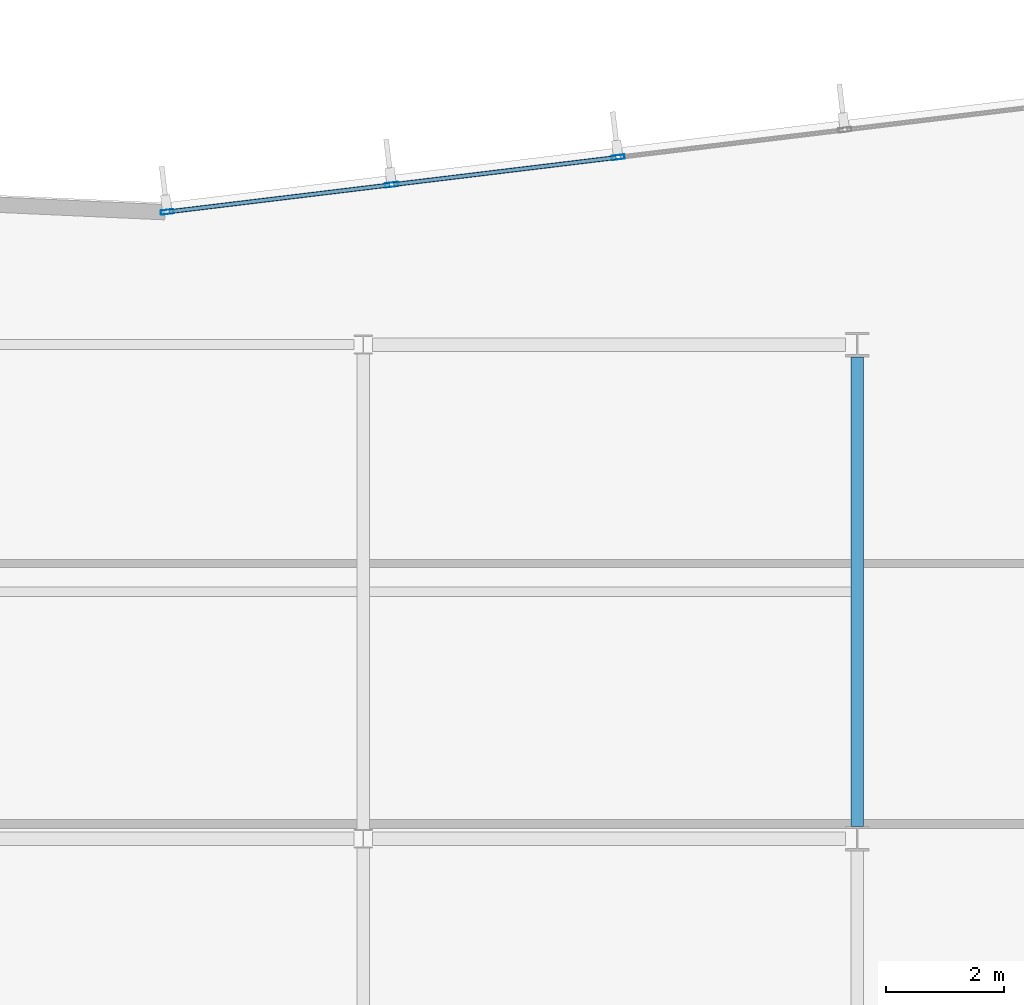
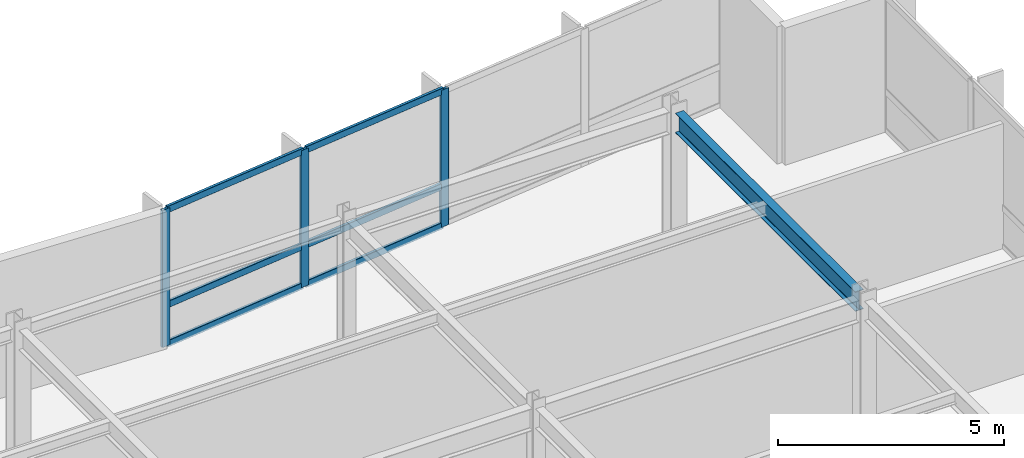
# One storey, part 7 of 17: 9 members, 1 beam, 1 element without a shape of its own.
"""IFC4 building model written with IfcOpenShell, lengths in metres."""

from ifc_helpers import new_model, si_unit, direction, frame, origin, origin_2d, place, context, subcontext, project, spatial, hollow_rectangle, i_section, extrude, material, layer, layer_set, material_profile, profile_set, type_object, element, aggregate, save


model = new_model("IFC4")

# Units and contexts
model_context = context("Model", 3, precision=1e-05, world=origin(), true_north=direction((0.0, 1.0)))
body_context = subcontext(model_context, "Body", "Model", "MODEL_VIEW")
ifc_project = project(units=[si_unit("LENGTHUNIT", "METRE"), si_unit("AREAUNIT", "SQUARE_METRE"), si_unit("VOLUMEUNIT", "CUBIC_METRE"), si_unit("PLANEANGLEUNIT", "RADIAN"), si_unit("MASSUNIT", "GRAM", prefix="KILO")], contexts=[model_context])

# Site, building, storey
site_placement = place(None, origin())
site = spatial("IfcSite", under=ifc_project, at=site_placement, CompositionType="ELEMENT")
building_placement = place(site_placement, origin())
building = spatial("IfcBuilding", under=site, at=building_placement, Name="Varnakote Quay Hospital", CompositionType="ELEMENT")
storey_placement = place(building_placement, frame((0.0, 0.0, 103.35009765625)))
storey = spatial("IfcBuildingStorey", under=building, at=storey_placement, Name="L25", CompositionType="ELEMENT", Elevation=103.35009765625)

# Beam
ifc_material_1 = material(Name="Structural steel AS/NZS 3679.1 Grade 350 L0 (fy 340 MPa)", Category="steel")
ifc_material_profile_1 = material_profile(ifc_material_1, i_section(OverallWidth=0.208984375, OverallDepth=0.532958984375, WebThickness=0.01025390625, FlangeThickness=0.015625, FilletRadius=0.013916015625, at=origin_2d()), Name="530UB92.4")
ifc_profile_set_1 = profile_set([ifc_material_profile_1], Name="Structural steel AS/NZS 3679.1 Grade 350 L0 (fy 340 MPa)")
beam_type = type_object("IfcBeamType", Name="BM-STL-530UB92-4", PredefinedType="BEAM", material=ifc_profile_set_1)
beam_placement = place(storey_placement, frame((50.39990234375, 20.610107421875, 3.443359375), z_axis=(0.0, 1.0, 0.0), x_axis=(-1.0, 0.0, 0.0)))
element("IfcBeam", 1, at=beam_placement, inside=storey, type_object=beam_type, Name="L25 Primary Tie Beam", PredefinedType="BEAM", context=body_context, shape_type="SweptSolid", body=[
    extrude(i_section(OverallWidth=0.208984375, OverallDepth=0.532958984375, WebThickness=0.01025390625, FlangeThickness=0.015625, FilletRadius=0.013916015625, at=origin_2d()), origin(), (0.0, 0.0, 1.0), 7.97998046875),
])

# Curtain wall, members
ifc_material_2 = material(Name="Anodised aluminium 6063-T6 Bronze", Category="aluminium")
ifc_layer = layer(ifc_material_2, 0.205078125)
ifc_layer_set = layer_set([ifc_layer], Name="Anodised aluminium 6063-T6 Bronze")
curtain_wall_type = type_object("IfcCurtainWallType", Name="CW-SYS-3", PredefinedType="NOTDEFINED", material=ifc_layer_set)
curtain_wall_placement = place(storey_placement, origin())
curtain_wall = element("IfcCurtainWall", 2, at=curtain_wall_placement, inside=storey, type_object=curtain_wall_type, Name="L25 Unitised Bronze Curtain Wall 2", PredefinedType="NOTDEFINED")
ifc_material_3 = material(Name="Anodised aluminium 6063-T6 Bronze", Category="aluminium")
ifc_material_profile_2 = material_profile(ifc_material_3, hollow_rectangle(XDim=0.074951171875, YDim=0.219970703125, WallThickness=0.00439453125, InnerFilletRadius=0.00439453125, OuterFilletRadius=0.009033203125, at=origin_2d()), Name="CW-MULL-220x75")
ifc_profile_set_2 = profile_set([ifc_material_profile_2], Name="Anodised aluminium 6063-T6 Bronze")
member_type_1 = type_object("IfcMemberType", Name="CW-MULL-220x75", PredefinedType="MULLION", material=ifc_profile_set_2)
member_1_placement = place(storey_placement, frame((46.3349609375, 31.985595703125, 0.0), z_axis=(0.0, 0.0, 1.0), x_axis=(0.12032713492, -0.992734295067, 0.0)))
member_1 = element("IfcMember", 3, at=member_1_placement, type_object=member_type_1, Name="-3-L25-2 mullion 3", PredefinedType="MULLION", context=body_context, shape_type="SweptSolid", body=[
    extrude(hollow_rectangle(XDim=0.074951171875, YDim=0.219970703125, WallThickness=0.00439453125, InnerFilletRadius=0.00439453125, OuterFilletRadius=0.009033203125, at=origin_2d()), origin(), (0.0, 0.0, 1.0), 3.7099609375),
])
member_2_placement = place(storey_placement, frame((42.482666015625, 31.5185546875, 0.0), z_axis=(0.0, 0.0, 1.0), x_axis=(0.12032713492, -0.992734295067, 0.0)))
member_2 = element("IfcMember", 4, at=member_2_placement, type_object=member_type_1, Name="-3-L25-2 mullion 4", PredefinedType="MULLION", context=body_context, shape_type="SweptSolid", body=[
    extrude(hollow_rectangle(XDim=0.074951171875, YDim=0.219970703125, WallThickness=0.00439453125, InnerFilletRadius=0.00439453125, OuterFilletRadius=0.009033203125, at=origin_2d()), origin(), (0.0, 0.0, 1.0), 3.7099609375),
])
member_3_placement = place(storey_placement, frame((38.667236328125, 31.05615234375, 0.0), z_axis=(0.0, 0.0, 1.0), x_axis=(0.12032713492, -0.992734295067, 0.0)))
member_3 = element("IfcMember", 5, at=member_3_placement, type_object=member_type_1, Name="-3-L25-2 mullion 5", PredefinedType="MULLION", context=body_context, shape_type="SweptSolid", body=[
    extrude(hollow_rectangle(XDim=0.074951171875, YDim=0.219970703125, WallThickness=0.00439453125, InnerFilletRadius=0.00439453125, OuterFilletRadius=0.009033203125, at=origin_2d()), origin(), (0.0, 0.0, 1.0), 3.7099609375),
])
ifc_material_4 = material(Name="Anodised aluminium 6063-T6 Bronze", Category="aluminium")
ifc_material_profile_3 = material_profile(ifc_material_4, hollow_rectangle(XDim=0.074951171875, YDim=0.179931640625, WallThickness=0.004150390625, InnerFilletRadius=0.004150390625, OuterFilletRadius=0.00830078125, at=origin_2d()), Name="CW-TRAN-180x75")
ifc_profile_set_3 = profile_set([ifc_material_profile_3], Name="Anodised aluminium 6063-T6 Bronze")
member_type_2 = type_object("IfcMemberType", Name="CW-TRAN-180x75", PredefinedType="USERDEFINED", material=ifc_profile_set_3)
member_4_placement = place(storey_placement, frame((46.2978515625, 31.98095703125, 0.037353515625), z_axis=(-0.992731924158, -0.120346694005, 0.0), x_axis=(0.120346694005, -0.992731924158, 0.0)))
member_4 = element("IfcMember", 6, at=member_4_placement, type_object=member_type_2, Name="-3-L25-2 transom 3.1", ObjectType="TRANSOM", PredefinedType="USERDEFINED", context=body_context, shape_type="SweptSolid", body=[
    extrude(hollow_rectangle(XDim=0.074951171875, YDim=0.179931640625, WallThickness=0.004150390625, InnerFilletRadius=0.004150390625, OuterFilletRadius=0.00830078125, at=origin_2d()), origin(), (0.0, 0.0, 1.0), 3.8056640625),
])
member_5_placement = place(storey_placement, frame((46.2978515625, 31.98095703125, 1.099853515625), z_axis=(-0.992731924158, -0.120346694005, 0.0), x_axis=(0.120346694005, -0.992731924158, 0.0)))
member_5 = element("IfcMember", 7, at=member_5_placement, type_object=member_type_2, Name="-3-L25-2 transom 3.2", ObjectType="TRANSOM", PredefinedType="USERDEFINED", context=body_context, shape_type="SweptSolid", body=[
    extrude(hollow_rectangle(XDim=0.074951171875, YDim=0.179931640625, WallThickness=0.004150390625, InnerFilletRadius=0.004150390625, OuterFilletRadius=0.00830078125, at=origin_2d()), origin(), (0.0, 0.0, 1.0), 3.8056640625),
])
member_6_placement = place(storey_placement, frame((46.2978515625, 31.98095703125, 3.67236328125), z_axis=(-0.992731924158, -0.120346694005, 0.0), x_axis=(0.120346694005, -0.992731924158, 0.0)))
member_6 = element("IfcMember", 8, at=member_6_placement, type_object=member_type_2, Name="-3-L25-2 transom 3.3", ObjectType="TRANSOM", PredefinedType="USERDEFINED", context=body_context, shape_type="SweptSolid", body=[
    extrude(hollow_rectangle(XDim=0.074951171875, YDim=0.179931640625, WallThickness=0.004150390625, InnerFilletRadius=0.004150390625, OuterFilletRadius=0.00830078125, at=origin_2d()), origin(), (0.0, 0.0, 1.0), 3.8056640625),
])
member_7_placement = place(storey_placement, frame((42.4453125, 31.513916015625, 0.037353515625), z_axis=(-0.992735423717, -0.120317822859, 0.0), x_axis=(0.120317822859, -0.992735423717, 0.0)))
member_7 = element("IfcMember", 9, at=member_7_placement, type_object=member_type_2, Name="-3-L25-2 transom 4.1", ObjectType="TRANSOM", PredefinedType="USERDEFINED", context=body_context, shape_type="SweptSolid", body=[
    extrude(hollow_rectangle(XDim=0.074951171875, YDim=0.179931640625, WallThickness=0.004150390625, InnerFilletRadius=0.004150390625, OuterFilletRadius=0.00830078125, at=origin_2d()), origin(), (0.0, 0.0, 1.0), 3.76806640625),
])
member_8_placement = place(storey_placement, frame((42.4453125, 31.513916015625, 1.099853515625), z_axis=(-0.992735423717, -0.120317822859, 0.0), x_axis=(0.120317822859, -0.992735423717, 0.0)))
member_8 = element("IfcMember", 10, at=member_8_placement, type_object=member_type_2, Name="-3-L25-2 transom 4.2", ObjectType="TRANSOM", PredefinedType="USERDEFINED", context=body_context, shape_type="SweptSolid", body=[
    extrude(hollow_rectangle(XDim=0.074951171875, YDim=0.179931640625, WallThickness=0.004150390625, InnerFilletRadius=0.004150390625, OuterFilletRadius=0.00830078125, at=origin_2d()), origin(), (0.0, 0.0, 1.0), 3.76806640625),
])
member_9_placement = place(storey_placement, frame((42.4453125, 31.513916015625, 3.67236328125), z_axis=(-0.992735423717, -0.120317822859, 0.0), x_axis=(0.120317822859, -0.992735423717, 0.0)))
member_9 = element("IfcMember", 11, at=member_9_placement, type_object=member_type_2, Name="-3-L25-2 transom 4.3", ObjectType="TRANSOM", PredefinedType="USERDEFINED", context=body_context, shape_type="SweptSolid", body=[
    extrude(hollow_rectangle(XDim=0.074951171875, YDim=0.179931640625, WallThickness=0.004150390625, InnerFilletRadius=0.004150390625, OuterFilletRadius=0.00830078125, at=origin_2d()), origin(), (0.0, 0.0, 1.0), 3.76806640625),
])
aggregate(curtain_wall, [member_1, member_2, member_3, member_4, member_5, member_6, member_7, member_8, member_9])

save(model, "model.ifc")
